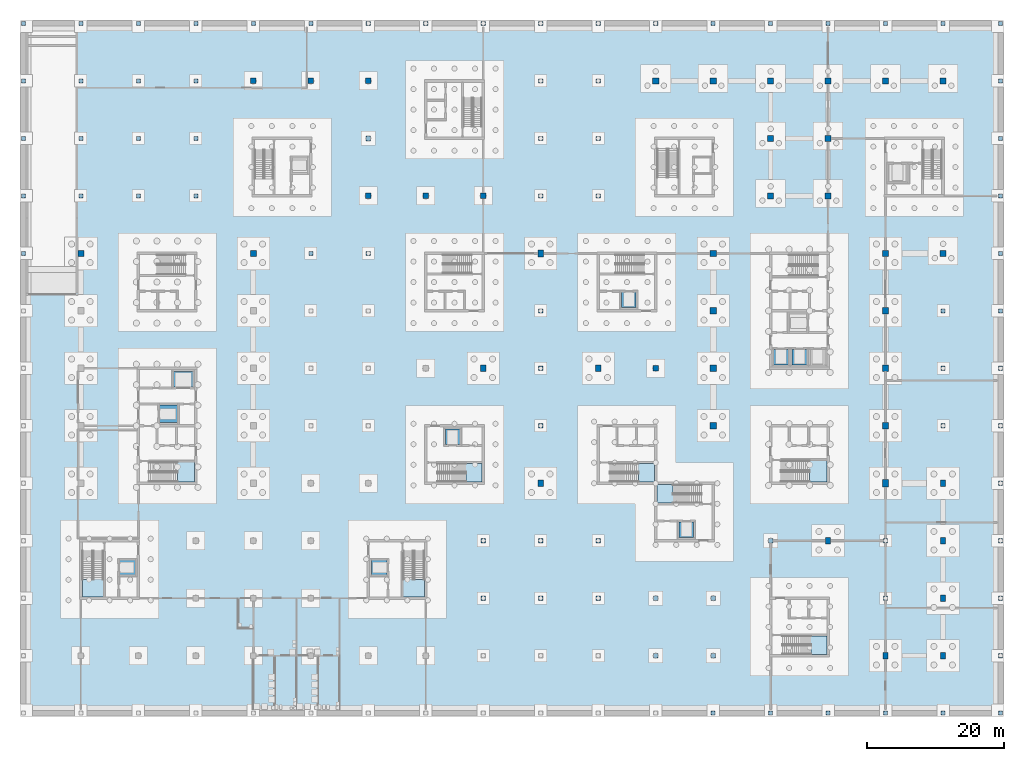
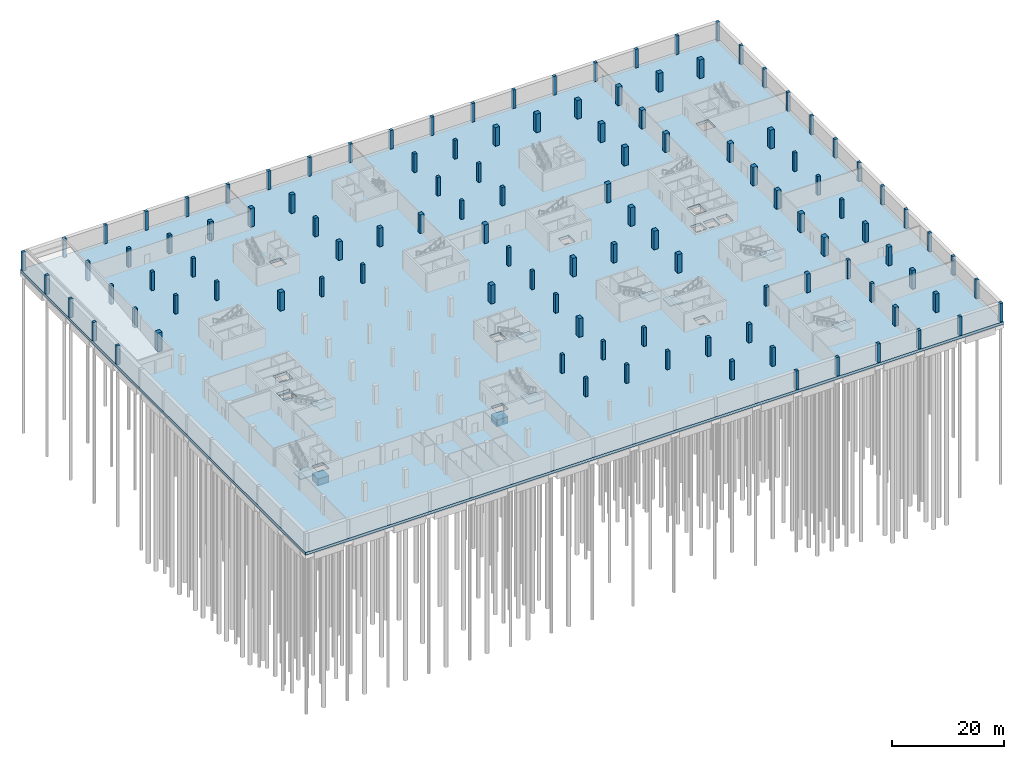
# One storey, part 6 of 23: 115 columns, 18 slabs, 8 elements without a shape of their own.
"""IFC4 building model written with IfcOpenShell, lengths in metres."""

from ifc_helpers import new_model, si_unit, direction, frame, origin, origin_2d, place, context, subcontext, project, spatial, polyline, rectangle, outline, extrude, material, layer, layer_set, material_profile, profile_set, type_object, element, aggregate, save


model = new_model("IFC4")

# Units and contexts
model_context = context("Model", 3, precision=1e-05, world=origin(), true_north=direction((0.0, 1.0)))
body_context = subcontext(model_context, "Body", "Model", "MODEL_VIEW")
ifc_project = project(units=[si_unit("LENGTHUNIT", "METRE"), si_unit("AREAUNIT", "SQUARE_METRE"), si_unit("VOLUMEUNIT", "CUBIC_METRE"), si_unit("PLANEANGLEUNIT", "RADIAN"), si_unit("MASSUNIT", "GRAM", prefix="KILO")], contexts=[model_context])

# Site, building, storey
site_placement = place(None, origin())
site = spatial("IfcSite", under=ifc_project, at=site_placement, CompositionType="ELEMENT")
building_placement = place(site_placement, origin())
building = spatial("IfcBuilding", under=site, at=building_placement, Name="Hlaing Beacon Police Headquarters", CompositionType="ELEMENT")
storey_placement = place(building_placement, frame((0.0, 0.0, -4.5)))
storey = spatial("IfcBuildingStorey", under=building, at=storey_placement, Name="B1", CompositionType="ELEMENT", Elevation=-4.5)

# Columns
ifc_material_1 = material(Name="Concrete C50/60", Category="concrete")
ifc_material_profile_1 = material_profile(ifc_material_1, rectangle(XDim=0.60009765625, YDim=0.60009765625, at=origin_2d()), Name="600x600")
ifc_profile_set_1 = profile_set([ifc_material_profile_1], Name="Concrete C50/60")
column_type_1 = type_object("IfcColumnType", Name="RC column 600x600 C50/60", PredefinedType="COLUMN", material=ifc_profile_set_1)
for number, where, z_axis, x_axis, name in (
    (1, (0.0, 67.199951171875, 0.0), (0.0, 0.0, 1.0), (1.0, 0.0, 0.0), "STR-COL-B1-A9"),
    (2, (0.0, 75.60009765625, 0.0), (0.0, 0.0, 1.0), (1.0, 0.0, 0.0), "STR-COL-B1-A10"),
    (3, (0.0, 84.0, 0.0), (0.0, 0.0, 1.0), (1.0, 0.0, 0.0), "STR-COL-B1-A11"),
    (4, (0.0, 92.39990234375, 0.0), (0.0, 0.0, 1.0), (1.0, 0.0, 0.0), "STR-COL-B1-A12"),
    (5, (0.0, 100.800048828125, 0.0), (0.0, 0.0, 1.0), (1.0, 0.0, 0.0), "STR-COL-B1-A13"),
    (6, (8.39990234375, 75.60009765625, 0.0), (0.0, 0.0, 1.0), (1.0, 0.0, 0.0), "STR-COL-B1-B10"),
    (7, (8.39990234375, 84.0, 0.0), (0.0, 0.0, 1.0), (1.0, 0.0, 0.0), "STR-COL-B1-B11"),
    (8, (8.39990234375, 92.39990234375, 0.0), (0.0, 0.0, 1.0), (1.0, 0.0, 0.0), "STR-COL-B1-B12"),
    (9, (8.39990234375, 100.800048828125, 0.0), (0.0, 0.0, 1.0), (1.0, 0.0, 0.0), "STR-COL-B1-B13"),
    (10, (16.800048828125, 75.60009765625, 0.0), (0.0, 0.0, 1.0), (1.0, 0.0, 0.0), "STR-COL-B1-C10"),
    (11, (16.800048828125, 84.0, 0.0), (0.0, 0.0, 1.0), (1.0, 0.0, 0.0), "STR-COL-B1-C11"),
    (12, (16.800048828125, 92.39990234375, 0.0), (0.0, 0.0, 1.0), (1.0, 0.0, 0.0), "STR-COL-B1-C12"),
    (13, (16.800048828125, 100.800048828125, 0.0), (0.0, 0.0, 1.0), (1.0, 0.0, 0.0), "STR-COL-B1-C13"),
    (14, (25.199951171875, 75.60009765625, 0.0), (0.0, 0.0, 1.0), (1.0, 0.0, 0.0), "STR-COL-B1-D10"),
    (15, (25.199951171875, 84.0, 0.0), (0.0, 0.0, 1.0), (1.0, 0.0, 0.0), "STR-COL-B1-D11"),
    (16, (25.199951171875, 92.39990234375, 0.0), (0.0, 0.0, 1.0), (1.0, 0.0, 0.0), "STR-COL-B1-D12"),
    (17, (25.199951171875, 100.800048828125, 0.0), (0.0, 0.0, 1.0), (1.0, 0.0, 0.0), "STR-COL-B1-D13"),
    (18, (33.60009765625, 100.800048828125, 0.0), (0.0, 0.0, 1.0), (1.0, 0.0, 0.0), "STR-COL-B1-E13"),
    (19, (42.0, 67.199951171875, 0.0), (0.0, 0.0, 1.0), (1.0, 0.0, 0.0), "STR-COL-B1-F9"),
    (20, (42.0, 100.800048828125, 0.0), (0.0, 0.0, 1.0), (1.0, 0.0, 0.0), "STR-COL-B1-F13"),
    (21, (50.39990234375, 67.199951171875, 0.0), (0.0, 0.0, 1.0), (1.0, 0.0, 0.0), "STR-COL-B1-G9"),
    (22, (50.39990234375, 100.800048828125, 0.0), (0.0, 0.0, 1.0), (1.0, 0.0, 0.0), "STR-COL-B1-G13"),
    (23, (58.800048828125, 100.800048828125, 0.0), (0.0, 0.0, 1.0), (1.0, 0.0, 0.0), "STR-COL-B1-H13"),
    (24, (67.199951171875, 16.800048828125, 0.0), (0.0, 0.0, 1.0), (1.0, 0.0, 0.0), "STR-COL-B1-J3"),
    (25, (67.199951171875, 25.199951171875, 0.0), (0.0, 0.0, 1.0), (1.0, 0.0, 0.0), "STR-COL-B1-J4"),
    (26, (67.199951171875, 100.800048828125, 0.0), (0.0, 0.0, 1.0), (1.0, 0.0, 0.0), "STR-COL-B1-J13"),
    (27, (75.60009765625, 16.800048828125, 0.0), (0.0, 0.0, 1.0), (1.0, 0.0, 0.0), "STR-COL-B1-K3"),
    (28, (75.60009765625, 25.199951171875, 0.0), (0.0, 0.0, 1.0), (1.0, 0.0, 0.0), "STR-COL-B1-K4"),
    (29, (75.60009765625, 42.0, 0.0), (0.0, 0.0, 1.0), (1.0, 0.0, 0.0), "STR-COL-B1-K6"),
    (30, (75.60009765625, 50.39990234375, 0.0), (0.0, 0.0, 1.0), (1.0, 0.0, 0.0), "STR-COL-B1-K7"),
    (31, (75.60009765625, 58.800048828125, 0.0), (0.0, 0.0, 1.0), (1.0, 0.0, 0.0), "STR-COL-B1-K8"),
    (32, (75.60009765625, 75.60009765625, 0.0), (0.0, 0.0, 1.0), (1.0, 0.0, 0.0), "STR-COL-B1-K10"),
    (33, (75.60009765625, 84.0, 0.0), (0.0, 0.0, 1.0), (1.0, 0.0, 0.0), "STR-COL-B1-K11"),
    (34, (75.60009765625, 92.39990234375, 0.0), (0.0, 0.0, 1.0), (1.0, 0.0, 0.0), "STR-COL-B1-K12"),
    (35, (75.60009765625, 100.800048828125, 0.0), (0.0, 0.0, 1.0), (1.0, 0.0, 0.0), "STR-COL-B1-K13"),
    (36, (84.0, 16.800048828125, 0.0), (0.0, 0.0, 1.0), (1.0, 0.0, 0.0), "STR-COL-B1-L3"),
    (37, (84.0, 25.199951171875, 0.0), (0.0, 0.0, 1.0), (1.0, 0.0, 0.0), "STR-COL-B1-L4"),
    (38, (84.0, 75.60009765625, 0.0), (0.0, 0.0, 1.0), (1.0, 0.0, 0.0), "STR-COL-B1-L10"),
    (39, (84.0, 84.0, 0.0), (0.0, 0.0, 1.0), (1.0, 0.0, 0.0), "STR-COL-B1-L11"),
    (40, (84.0, 92.39990234375, 0.0), (0.0, 0.0, 1.0), (1.0, 0.0, 0.0), "STR-COL-B1-L12"),
    (41, (84.0, 100.800048828125, 0.0), (0.0, 0.0, 1.0), (1.0, 0.0, 0.0), "STR-COL-B1-L13"),
    (42, (92.39990234375, 100.800048828125, 0.0), (0.0, 0.0, 1.0), (1.0, 0.0, 0.0), "STR-COL-B1-M13"),
    (43, (100.800048828125, 0.0, 0.0), (0.0, 0.0, 1.0), (1.0, 0.0, 0.0), "STR-COL-B1-N1"),
    (44, (100.800048828125, 100.800048828125, 0.0), (0.0, 0.0, 1.0), (1.0, 0.0, 0.0), "STR-COL-B1-N13"),
    (45, (109.199951171875, 0.0, 0.0), (0.0, 0.0, 1.0), (1.0, 0.0, 0.0), "STR-COL-B1-P1"),
    (46, (109.199951171875, 100.800048828125, 0.0), (0.0, 0.0, 1.0), (1.0, 0.0, 0.0), "STR-COL-B1-P13"),
    (47, (117.60009765625, 0.0, 0.0), (0.0, 0.0, 1.0), (1.0, 0.0, 0.0), "STR-COL-B1-Q1"),
    (48, (117.60009765625, 100.800048828125, 0.0), (0.0, 0.0, 1.0), (1.0, 0.0, 0.0), "STR-COL-B1-Q13"),
    (49, (126.0, 0.0, 0.0), (0.0, 0.0, 1.0), (1.0, 0.0, 0.0), "STR-COL-B1-R1"),
    (50, (126.0, 16.800048828125, 0.0), (0.0, 0.0, 1.0), (1.0, 0.0, 0.0), "STR-COL-B1-R3"),
    (51, (126.0, 25.199951171875, 0.0), (0.0, 0.0, 1.0), (1.0, 0.0, 0.0), "STR-COL-B1-R4"),
    (52, (126.0, 100.800048828125, 0.0), (0.0, 0.0, 1.0), (1.0, 0.0, 0.0), "STR-COL-B1-R13"),
    (53, (134.39990234375, 0.0, 0.0), (0.0, 0.0, 1.0), (1.0, 0.0, 0.0), "STR-COL-B1-S1"),
    (54, (134.39990234375, 42.0, 0.0), (0.0, 0.0, 1.0), (1.0, 0.0, 0.0), "STR-COL-B1-S6"),
    (55, (134.39990234375, 50.39990234375, 0.0), (0.0, 0.0, 1.0), (1.0, 0.0, 0.0), "STR-COL-B1-S7"),
    (56, (134.39990234375, 58.800048828125, 0.0), (0.0, 0.0, 1.0), (1.0, 0.0, 0.0), "STR-COL-B1-S8"),
    (57, (134.39990234375, 100.800048828125, 0.0), (0.0, 0.0, 1.0), (1.0, 0.0, 0.0), "STR-COL-B1-S13"),
    (58, (142.800048828125, 0.0, 0.0), (0.0, 0.0, 1.0), (1.0, 0.0, 0.0), "STR-COL-B1-T1"),
    (59, (142.800048828125, 8.39990234375, 0.0), (0.0, 0.0, 1.0), (1.0, 0.0, 0.0), "STR-COL-B1-T2"),
    (60, (142.800048828125, 16.800048828125, 0.0), (0.0, 0.0, 1.0), (1.0, 0.0, 0.0), "STR-COL-B1-T3"),
    (61, (142.800048828125, 25.199951171875, 0.0), (0.0, 0.0, 1.0), (1.0, 0.0, 0.0), "STR-COL-B1-T4"),
    (62, (142.800048828125, 33.60009765625, 0.0), (0.0, 0.0, 1.0), (1.0, 0.0, 0.0), "STR-COL-B1-T5"),
    (63, (142.800048828125, 42.0, 0.0), (0.0, 0.0, 1.0), (1.0, 0.0, 0.0), "STR-COL-B1-T6"),
    (64, (142.800048828125, 50.39990234375, 0.0), (0.0, 0.0, 1.0), (1.0, 0.0, 0.0), "STR-COL-B1-T7"),
    (65, (142.800048828125, 58.800048828125, 0.0), (0.0, 0.0, 1.0), (1.0, 0.0, 0.0), "STR-COL-B1-T8"),
    (66, (142.800048828125, 67.199951171875, 0.0), (0.0, 0.0, 1.0), (1.0, 0.0, 0.0), "STR-COL-B1-T9"),
    (67, (142.800048828125, 75.60009765625, 0.0), (0.0, 0.0, 1.0), (1.0, 0.0, 0.0), "STR-COL-B1-T10"),
    (68, (142.800048828125, 84.0, 0.0), (0.0, 0.0, 1.0), (1.0, 0.0, 0.0), "STR-COL-B1-T11"),
    (69, (142.800048828125, 92.39990234375, 0.0), (0.0, 0.0, 1.0), (1.0, 0.0, 0.0), "STR-COL-B1-T12"),
    (70, (142.800048828125, 100.800048828125, 0.0), (0.0, 0.0, 1.0), (1.0, 0.0, 0.0), "STR-COL-B1-T13"),
):
    element("IfcColumn", number, at=place(storey_placement, frame(where, z_axis=z_axis, x_axis=x_axis)), inside=storey, type_object=column_type_1, Name=name, PredefinedType="COLUMN", context=body_context, shape_type="SweptSolid", body=[
        extrude(rectangle(XDim=0.60009765625, YDim=0.60009765625, at=origin_2d()), origin(), (0.0, 0.0, 1.0), 4.050048828125),
    ])
ifc_material_2 = material(Name="Concrete C50/60", Category="concrete")
ifc_material_profile_2 = material_profile(ifc_material_2, rectangle(XDim=0.699951171875, YDim=0.699951171875, at=origin_2d()), Name="700x700")
ifc_profile_set_2 = profile_set([ifc_material_profile_2], Name="Concrete C50/60")
column_type_2 = type_object("IfcColumnType", Name="RC column 700x700 C50/60", PredefinedType="COLUMN", material=ifc_profile_set_2)
for number, where, z_axis, x_axis, name in (
    (71, (50.39990234375, 84.0, 0.0), (0.0, 0.0, 1.0), (1.0, 0.0, 0.0), "STR-COL-B1-G11"),
    (72, (92.39990234375, 8.39990234375, 0.0), (0.0, 0.0, 1.0), (1.0, 0.0, 0.0), "STR-COL-B1-M2"),
    (73, (92.39990234375, 16.800048828125, 0.0), (0.0, 0.0, 1.0), (1.0, 0.0, 0.0), "STR-COL-B1-M3"),
    (74, (100.800048828125, 8.39990234375, 0.0), (0.0, 0.0, 1.0), (1.0, 0.0, 0.0), "STR-COL-B1-N2"),
    (75, (100.800048828125, 16.800048828125, 0.0), (0.0, 0.0, 1.0), (1.0, 0.0, 0.0), "STR-COL-B1-N3"),
    (76, (109.199951171875, 25.199951171875, 0.0), (0.0, 0.0, 1.0), (1.0, 0.0, 0.0), "STR-COL-B1-P4"),
):
    element("IfcColumn", number, at=place(storey_placement, frame(where, z_axis=z_axis, x_axis=x_axis)), inside=storey, type_object=column_type_2, Name=name, PredefinedType="COLUMN", context=body_context, shape_type="SweptSolid", body=[
        extrude(rectangle(XDim=0.699951171875, YDim=0.699951171875, at=origin_2d()), origin(), (0.0, 0.0, 1.0), 4.050048828125),
    ])
ifc_material_3 = material(Name="Concrete C50/60", Category="concrete")
ifc_material_profile_3 = material_profile(ifc_material_3, rectangle(XDim=0.699951171875, YDim=0.89990234375, at=origin_2d()), Name="700x900")
ifc_profile_set_3 = profile_set([ifc_material_profile_3], Name="Concrete C50/60")
column_type_3 = type_object("IfcColumnType", Name="RC column 700x900 C50/60", PredefinedType="COLUMN", material=ifc_profile_set_3)
for number, where, z_axis, x_axis, name in (
    (77, (117.60009765625, 25.199951171875, 0.0), (0.0, 0.0, 1.0), (1.0, 0.0, 0.0), "STR-COL-B1-Q4"),
    (78, (126.0, 8.39990234375, 0.0), (0.0, 0.0, 1.0), (1.0, 0.0, 0.0), "STR-COL-B1-R2"),
    (79, (134.39990234375, 8.39990234375, 0.0), (0.0, 0.0, 1.0), (1.0, 0.0, 0.0), "STR-COL-B1-S2"),
    (80, (134.39990234375, 16.800048828125, 0.0), (0.0, 0.0, 1.0), (1.0, 0.0, 0.0), "STR-COL-B1-S3"),
    (81, (134.39990234375, 25.199951171875, 0.0), (0.0, 0.0, 1.0), (1.0, 0.0, 0.0), "STR-COL-B1-S4"),
    (82, (134.39990234375, 33.60009765625, 0.0), (0.0, 0.0, 1.0), (1.0, 0.0, 0.0), "STR-COL-B1-S5"),
):
    element("IfcColumn", number, at=place(storey_placement, frame(where, z_axis=z_axis, x_axis=x_axis)), inside=storey, type_object=column_type_3, Name=name, PredefinedType="COLUMN", context=body_context, shape_type="SweptSolid", body=[
        extrude(rectangle(XDim=0.699951171875, YDim=0.89990234375, at=origin_2d()), origin(), (0.0, 0.0, 1.0), 4.050048828125),
    ])
ifc_material_4 = material(Name="Concrete C50/60", Category="concrete")
ifc_material_profile_4 = material_profile(ifc_material_4, rectangle(XDim=0.800048828125, YDim=1.0, at=origin_2d()), Name="800x1000")
ifc_profile_set_4 = profile_set([ifc_material_profile_4], Name="Concrete C50/60")
column_type_4 = type_object("IfcColumnType", Name="RC column 800x1000 C50/60", PredefinedType="COLUMN", material=ifc_profile_set_4)
for number, where, z_axis, x_axis, name in (
    (83, (67.199951171875, 50.39990234375, 0.0), (0.0, 0.0, 1.0), (1.0, 0.0, 0.0), "STR-COL-B1-J7"),
    (84, (75.60009765625, 33.60009765625, 0.0), (0.0, 0.0, 1.0), (1.0, 0.0, 0.0), "STR-COL-B1-K5"),
    (85, (75.60009765625, 67.199951171875, 0.0), (0.0, 0.0, 1.0), (1.0, 0.0, 0.0), "STR-COL-B1-K9"),
    (86, (84.0, 50.39990234375, 0.0), (0.0, 0.0, 1.0), (1.0, 0.0, 0.0), "STR-COL-B1-L7"),
):
    element("IfcColumn", number, at=place(storey_placement, frame(where, z_axis=z_axis, x_axis=x_axis)), inside=storey, type_object=column_type_4, Name=name, PredefinedType="COLUMN", context=body_context, shape_type="SweptSolid", body=[
        extrude(rectangle(XDim=0.800048828125, YDim=1.0, at=origin_2d()), origin(), (0.0, 0.0, 1.0), 4.050048828125),
    ])
ifc_material_5 = material(Name="Concrete C50/60", Category="concrete")
ifc_material_profile_5 = material_profile(ifc_material_5, rectangle(XDim=0.800048828125, YDim=0.800048828125, at=origin_2d()), Name="800x800")
ifc_profile_set_5 = profile_set([ifc_material_profile_5], Name="Concrete C50/60")
column_type_5 = type_object("IfcColumnType", Name="RC column 800x800 C50/60", PredefinedType="COLUMN", material=ifc_profile_set_5)
for number, where, z_axis, x_axis, name in (
    (87, (33.60009765625, 92.39990234375, 0.0), (0.0, 0.0, 1.0), (1.0, 0.0, 0.0), "STR-COL-B1-E12"),
    (88, (42.0, 92.39990234375, 0.0), (0.0, 0.0, 1.0), (1.0, 0.0, 0.0), "STR-COL-B1-F12"),
    (89, (50.39990234375, 75.60009765625, 0.0), (0.0, 0.0, 1.0), (1.0, 0.0, 0.0), "STR-COL-B1-G10"),
    (90, (50.39990234375, 92.39990234375, 0.0), (0.0, 0.0, 1.0), (1.0, 0.0, 0.0), "STR-COL-B1-G12"),
    (91, (58.800048828125, 75.60009765625, 0.0), (0.0, 0.0, 1.0), (1.0, 0.0, 0.0), "STR-COL-B1-H10"),
    (92, (67.199951171875, 75.60009765625, 0.0), (0.0, 0.0, 1.0), (1.0, 0.0, 0.0), "STR-COL-B1-J10"),
    (93, (92.39990234375, 50.39990234375, 0.0), (0.0, 0.0, 1.0), (1.0, 0.0, 0.0), "STR-COL-B1-M7"),
):
    element("IfcColumn", number, at=place(storey_placement, frame(where, z_axis=z_axis, x_axis=x_axis)), inside=storey, type_object=column_type_5, Name=name, PredefinedType="COLUMN", context=body_context, shape_type="SweptSolid", body=[
        extrude(rectangle(XDim=0.800048828125, YDim=0.800048828125, at=origin_2d()), origin(), (0.0, 0.0, 1.0), 4.050048828125),
    ])
ifc_material_6 = material(Name="Concrete C60/75", Category="concrete")
ifc_material_profile_6 = material_profile(ifc_material_6, rectangle(XDim=0.89990234375, YDim=1.10009765625, at=origin_2d()), Name="900x1100")
ifc_profile_set_6 = profile_set([ifc_material_profile_6], Name="Concrete C60/75")
column_type_6 = type_object("IfcColumnType", Name="RC column 900x1100 C60/75", PredefinedType="COLUMN", material=ifc_profile_set_6)
column_placement = place(storey_placement, frame((126.0, 33.60009765625, 0.0), z_axis=(0.0, 0.0, 1.0), x_axis=(1.0, 0.0, 0.0)))
element("IfcColumn", 94, at=column_placement, inside=storey, type_object=column_type_6, Name="STR-COL-B1-R5", PredefinedType="COLUMN", context=body_context, shape_type="SweptSolid", body=[
    extrude(rectangle(XDim=0.89990234375, YDim=1.10009765625, at=origin_2d()), origin(), (0.0, 0.0, 1.0), 4.050048828125),
])
ifc_material_7 = material(Name="Concrete C50/60", Category="concrete")
ifc_material_profile_7 = material_profile(ifc_material_7, rectangle(XDim=0.89990234375, YDim=0.89990234375, at=origin_2d()), Name="900x900")
ifc_profile_set_7 = profile_set([ifc_material_profile_7], Name="Concrete C50/60")
column_type_7 = type_object("IfcColumnType", Name="RC column 900x900 C50/60", PredefinedType="COLUMN", material=ifc_profile_set_7)
for number, where, z_axis, x_axis, name in (
    (95, (8.39990234375, 67.199951171875, 0.0), (0.0, 0.0, 1.0), (1.0, 0.0, 0.0), "STR-COL-B1-B9"),
    (96, (33.60009765625, 67.199951171875, 0.0), (0.0, 0.0, 1.0), (1.0, 0.0, 0.0), "STR-COL-B1-E9"),
    (97, (92.39990234375, 92.39990234375, 0.0), (0.0, 0.0, 1.0), (1.0, 0.0, 0.0), "STR-COL-B1-M12"),
    (98, (100.800048828125, 92.39990234375, 0.0), (0.0, 0.0, 1.0), (1.0, 0.0, 0.0), "STR-COL-B1-N12"),
    (99, (109.199951171875, 75.60009765625, 0.0), (0.0, 0.0, 1.0), (1.0, 0.0, 0.0), "STR-COL-B1-P10"),
    (100, (109.199951171875, 84.0, 0.0), (0.0, 0.0, 1.0), (1.0, 0.0, 0.0), "STR-COL-B1-P11"),
    (101, (109.199951171875, 92.39990234375, 0.0), (0.0, 0.0, 1.0), (1.0, 0.0, 0.0), "STR-COL-B1-P12"),
    (102, (117.60009765625, 75.60009765625, 0.0), (0.0, 0.0, 1.0), (1.0, 0.0, 0.0), "STR-COL-B1-Q10"),
    (103, (117.60009765625, 84.0, 0.0), (0.0, 0.0, 1.0), (1.0, 0.0, 0.0), "STR-COL-B1-Q11"),
    (104, (117.60009765625, 92.39990234375, 0.0), (0.0, 0.0, 1.0), (1.0, 0.0, 0.0), "STR-COL-B1-Q12"),
    (105, (126.0, 92.39990234375, 0.0), (0.0, 0.0, 1.0), (1.0, 0.0, 0.0), "STR-COL-B1-R12"),
    (106, (134.39990234375, 67.199951171875, 0.0), (0.0, 0.0, 1.0), (1.0, 0.0, 0.0), "STR-COL-B1-S9"),
    (107, (134.39990234375, 92.39990234375, 0.0), (0.0, 0.0, 1.0), (1.0, 0.0, 0.0), "STR-COL-B1-S12"),
):
    element("IfcColumn", number, at=place(storey_placement, frame(where, z_axis=z_axis, x_axis=x_axis)), inside=storey, type_object=column_type_7, Name=name, PredefinedType="COLUMN", context=body_context, shape_type="SweptSolid", body=[
        extrude(rectangle(XDim=0.89990234375, YDim=0.89990234375, at=origin_2d()), origin(), (0.0, 0.0, 1.0), 4.050048828125),
    ])
ifc_material_8 = material(Name="Concrete C60/75", Category="concrete")
ifc_material_profile_8 = material_profile(ifc_material_8, rectangle(XDim=0.89990234375, YDim=0.89990234375, at=origin_2d()), Name="900x900")
ifc_profile_set_8 = profile_set([ifc_material_profile_8], Name="Concrete C60/75")
column_type_8 = type_object("IfcColumnType", Name="RC column 900x900 C60/75", PredefinedType="COLUMN", material=ifc_profile_set_8)
for number, where, z_axis, x_axis, name in (
    (108, (100.800048828125, 42.0, 0.0), (0.0, 0.0, 1.0), (1.0, 0.0, 0.0), "STR-COL-B1-N6"),
    (109, (100.800048828125, 50.39990234375, 0.0), (0.0, 0.0, 1.0), (1.0, 0.0, 0.0), "STR-COL-B1-N7"),
    (110, (100.800048828125, 58.800048828125, 0.0), (0.0, 0.0, 1.0), (1.0, 0.0, 0.0), "STR-COL-B1-N8"),
    (111, (100.800048828125, 67.199951171875, 0.0), (0.0, 0.0, 1.0), (1.0, 0.0, 0.0), "STR-COL-B1-N9"),
    (112, (126.0, 42.0, 0.0), (0.0, 0.0, 1.0), (1.0, 0.0, 0.0), "STR-COL-B1-R6"),
    (113, (126.0, 50.39990234375, 0.0), (0.0, 0.0, 1.0), (1.0, 0.0, 0.0), "STR-COL-B1-R7"),
    (114, (126.0, 58.800048828125, 0.0), (0.0, 0.0, 1.0), (1.0, 0.0, 0.0), "STR-COL-B1-R8"),
    (115, (126.0, 67.199951171875, 0.0), (0.0, 0.0, 1.0), (1.0, 0.0, 0.0), "STR-COL-B1-R9"),
):
    element("IfcColumn", number, at=place(storey_placement, frame(where, z_axis=z_axis, x_axis=x_axis)), inside=storey, type_object=column_type_8, Name=name, PredefinedType="COLUMN", context=body_context, shape_type="SweptSolid", body=[
        extrude(rectangle(XDim=0.89990234375, YDim=0.89990234375, at=origin_2d()), origin(), (0.0, 0.0, 1.0), 4.050048828125),
    ])

# Slabs
ifc_material_9 = material(Name="Concrete C50/60", Category="concrete")
ifc_layer_1 = layer(ifc_material_9, 0.60009765625)
ifc_layer_set_1 = layer_set([ifc_layer_1], Name="Concrete C50/60")
slab_type_1 = type_object("IfcSlabType", Name="Base slab 600", PredefinedType="BASESLAB", material=ifc_layer_set_1)
slab_1_placement = place(storey_placement, frame((0.0, 0.0, -0.60009765625)))
element("IfcSlab", 116, at=slab_1_placement, inside=storey, type_object=slab_type_1, Name="STR-SLAB-B1-01", PredefinedType="BASESLAB", context=body_context, shape_type="SweptSolid", body=[
    extrude(outline(polyline([(-0.39990234375, -0.39990234375), (143.199951171875, -0.39990234375), (143.199951171875, 101.199951171875), (-0.39990234375, 101.199951171875), (-0.39990234375, -0.39990234375)]), holes=[polyline([(14.050048828125, 20.199951171875), (16.35009765625, 20.199951171875), (16.35009765625, 22.35009765625), (14.050048828125, 22.35009765625), (14.050048828125, 20.199951171875)]), polyline([(19.89990234375, 42.449951171875), (22.5, 42.449951171875), (22.5, 45.050048828125), (19.89990234375, 45.050048828125), (19.89990234375, 42.449951171875)]), polyline([(21.949951171875, 47.64990234375), (24.75, 47.64990234375), (24.75, 49.949951171875), (21.949951171875, 49.949951171875), (21.949951171875, 47.64990234375)]), polyline([(39.25, 79.0), (41.550048828125, 79.0), (41.550048828125, 81.14990234375), (39.25, 81.14990234375), (39.25, 79.0)]), polyline([(50.85009765625, 20.199951171875), (53.14990234375, 20.199951171875), (53.14990234375, 22.35009765625), (50.85009765625, 22.35009765625), (50.85009765625, 20.199951171875)]), polyline([(61.64990234375, 39.25), (63.800048828125, 39.25), (63.800048828125, 41.550048828125), (61.64990234375, 41.550048828125), (61.64990234375, 39.25)]), polyline([(87.39990234375, 59.25), (89.550048828125, 59.25), (89.550048828125, 61.550048828125), (87.39990234375, 61.550048828125), (87.39990234375, 59.25)]), polyline([(95.800048828125, 25.64990234375), (97.949951171875, 25.64990234375), (97.949951171875, 27.949951171875), (95.800048828125, 27.949951171875), (95.800048828125, 25.64990234375)]), polyline([(109.64990234375, 50.85009765625), (111.800048828125, 50.85009765625), (111.800048828125, 53.14990234375), (109.64990234375, 53.14990234375), (109.64990234375, 50.85009765625)]), polyline([(111.89990234375, 55.75), (114.5, 55.75), (114.5, 58.35009765625), (111.89990234375, 58.35009765625), (111.89990234375, 55.75)]), polyline([(112.300048828125, 50.85009765625), (114.5, 50.85009765625), (114.5, 53.14990234375), (112.300048828125, 53.14990234375), (112.300048828125, 50.85009765625)]), polyline([(115.0, 50.85009765625), (117.14990234375, 50.85009765625), (117.14990234375, 53.14990234375), (115.0, 53.14990234375), (115.0, 50.85009765625)]), polyline([(126.449951171875, 77.64990234375), (129.0, 77.64990234375), (129.0, 80.25), (126.449951171875, 80.25), (126.449951171875, 77.64990234375)])]), origin(), (0.0, 0.0, 1.0), 0.60009765625),
])
ifc_material_10 = material(Name="Concrete C40/50", Category="concrete")
ifc_layer_2 = layer(ifc_material_10, 1.5)
ifc_layer_set_2 = layer_set([ifc_layer_2], Name="Concrete C40/50")
slab_type_2 = type_object("IfcSlabType", Name="Lift pit slab 1500", PredefinedType="BASESLAB", material=ifc_layer_set_2)
slab_2_placement = place(storey_placement, frame((0.0, 0.0, -3.10009765625)))
element("IfcSlab", 117, at=slab_2_placement, inside=storey, type_object=slab_type_2, Name="Lift pit EL1", PredefinedType="BASESLAB", context=body_context, shape_type="SweptSolid", body=[
    extrude(outline(polyline([(21.949951171875, 47.64990234375), (24.75, 47.64990234375), (24.75, 49.949951171875), (21.949951171875, 49.949951171875), (21.949951171875, 47.64990234375)])), origin(), (0.0, 0.0, 1.0), 1.5),
])
slab_3_placement = place(storey_placement, frame((0.0, 0.0, -3.10009765625)))
element("IfcSlab", 118, at=slab_3_placement, inside=storey, type_object=slab_type_2, Name="Lift pit FL2", PredefinedType="BASESLAB", context=body_context, shape_type="SweptSolid", body=[
    extrude(outline(polyline([(19.89990234375, 42.449951171875), (22.5, 42.449951171875), (22.5, 45.050048828125), (19.89990234375, 45.050048828125), (19.89990234375, 42.449951171875)])), origin(), (0.0, 0.0, 1.0), 1.5),
])
slab_4_placement = place(storey_placement, frame((0.0, 0.0, -3.10009765625)))
element("IfcSlab", 119, at=slab_4_placement, inside=storey, type_object=slab_type_2, Name="Lift pit PL1", PredefinedType="BASESLAB", context=body_context, shape_type="SweptSolid", body=[
    extrude(outline(polyline([(61.64990234375, 39.25), (63.800048828125, 39.25), (63.800048828125, 41.550048828125), (61.64990234375, 41.550048828125), (61.64990234375, 39.25)])), origin(), (0.0, 0.0, 1.0), 1.5),
])
slab_5_placement = place(storey_placement, frame((0.0, 0.0, -3.10009765625)))
element("IfcSlab", 120, at=slab_5_placement, inside=storey, type_object=slab_type_2, Name="Lift pit PL2", PredefinedType="BASESLAB", context=body_context, shape_type="SweptSolid", body=[
    extrude(outline(polyline([(87.39990234375, 59.25), (89.550048828125, 59.25), (89.550048828125, 61.550048828125), (87.39990234375, 61.550048828125), (87.39990234375, 59.25)])), origin(), (0.0, 0.0, 1.0), 1.5),
])
slab_6_placement = place(storey_placement, frame((0.0, 0.0, -3.10009765625)))
element("IfcSlab", 121, at=slab_6_placement, inside=storey, type_object=slab_type_2, Name="Lift pit PL4", PredefinedType="BASESLAB", context=body_context, shape_type="SweptSolid", body=[
    extrude(outline(polyline([(95.800048828125, 25.64990234375), (97.949951171875, 25.64990234375), (97.949951171875, 27.949951171875), (95.800048828125, 27.949951171875), (95.800048828125, 25.64990234375)])), origin(), (0.0, 0.0, 1.0), 1.5),
])
slab_7_placement = place(storey_placement, frame((0.0, 0.0, -3.10009765625)))
element("IfcSlab", 122, at=slab_7_placement, inside=storey, type_object=slab_type_2, Name="Lift pit PL5", PredefinedType="BASESLAB", context=body_context, shape_type="SweptSolid", body=[
    extrude(outline(polyline([(14.050048828125, 20.199951171875), (16.35009765625, 20.199951171875), (16.35009765625, 22.35009765625), (14.050048828125, 22.35009765625), (14.050048828125, 20.199951171875)])), origin(), (0.0, 0.0, 1.0), 1.5),
])
slab_8_placement = place(storey_placement, frame((0.0, 0.0, -3.10009765625)))
element("IfcSlab", 123, at=slab_8_placement, inside=storey, type_object=slab_type_2, Name="Lift pit PL6", PredefinedType="BASESLAB", context=body_context, shape_type="SweptSolid", body=[
    extrude(outline(polyline([(50.85009765625, 20.199951171875), (53.14990234375, 20.199951171875), (53.14990234375, 22.35009765625), (50.85009765625, 22.35009765625), (50.85009765625, 20.199951171875)])), origin(), (0.0, 0.0, 1.0), 1.5),
])
slab_9_placement = place(storey_placement, frame((0.0, 0.0, -3.10009765625)))
element("IfcSlab", 124, at=slab_9_placement, inside=storey, type_object=slab_type_2, Name="Lift pit PL7", PredefinedType="BASESLAB", context=body_context, shape_type="SweptSolid", body=[
    extrude(outline(polyline([(109.64990234375, 50.85009765625), (111.800048828125, 50.85009765625), (111.800048828125, 53.14990234375), (109.64990234375, 53.14990234375), (109.64990234375, 50.85009765625)])), origin(), (0.0, 0.0, 1.0), 1.5),
])
slab_10_placement = place(storey_placement, frame((0.0, 0.0, -3.10009765625)))
element("IfcSlab", 125, at=slab_10_placement, inside=storey, type_object=slab_type_2, Name="Lift pit PL8", PredefinedType="BASESLAB", context=body_context, shape_type="SweptSolid", body=[
    extrude(outline(polyline([(112.300048828125, 50.85009765625), (114.5, 50.85009765625), (114.5, 53.14990234375), (112.300048828125, 53.14990234375), (112.300048828125, 50.85009765625)])), origin(), (0.0, 0.0, 1.0), 1.5),
])

# Stair, slab
ifc_material_11 = material(Name="Concrete C40/50", Category="concrete")
stair_type_1 = type_object("IfcStairType", Name="Half-turn stair 1300 wide, 4500 rise", PredefinedType="HALF_TURN_STAIR", material=ifc_material_11)
stair_1_placement = place(storey_placement, origin())
stair_1 = element("IfcStair", 126, at=stair_1_placement, inside=storey, type_object=stair_type_1, Name="Stair ST-A", PredefinedType="HALF_TURN_STAIR")
ifc_material_12 = material(Name="Concrete C40/50", Category="concrete")
ifc_layer_3 = layer(ifc_material_12, 0.219970703125)
ifc_layer_set_3 = layer_set([ifc_layer_3], Name="Concrete C40/50")
slab_type_3 = type_object("IfcSlabType", Name="Stair landing 220", PredefinedType="LANDING", material=ifc_layer_set_3)
slab_11_placement = place(storey_placement, frame((0.0, 0.0, 2.030029296875)))
slab_11 = element("IfcSlab", 127, at=slab_11_placement, type_object=slab_type_3, Name="ST-A landing 1", PredefinedType="LANDING", context=body_context, shape_type="SweptSolid", body=[
    extrude(outline(polyline([(64.68994140625, 33.800048828125), (67.0, 33.800048828125), (67.0, 36.5), (64.300048828125, 36.5), (64.300048828125, 35.199951171875), (64.68994140625, 35.199951171875), (64.68994140625, 33.800048828125)])), origin(), (0.0, 0.0, 1.0), 0.219970703125),
])
aggregate(stair_1, [slab_11])

stair_2_placement = place(storey_placement, origin())
stair_2 = element("IfcStair", 128, at=stair_2_placement, inside=storey, type_object=stair_type_1, Name="Stair ST-C", PredefinedType="HALF_TURN_STAIR")
slab_12_placement = place(storey_placement, frame((0.0, 0.0, 2.030029296875)))
slab_12 = element("IfcSlab", 129, at=slab_12_placement, type_object=slab_type_3, Name="ST-C landing 1", PredefinedType="LANDING", context=body_context, shape_type="SweptSolid", body=[
    extrude(outline(polyline([(89.889892578125, 33.800048828125), (92.199951171875, 33.800048828125), (92.199951171875, 36.5), (89.5, 36.5), (89.5, 35.199951171875), (89.889892578125, 35.199951171875), (89.889892578125, 33.800048828125)])), origin(), (0.0, 0.0, 1.0), 0.219970703125),
])
aggregate(stair_2, [slab_12])

stair_3_placement = place(storey_placement, origin())
stair_3 = element("IfcStair", 130, at=stair_3_placement, inside=storey, type_object=stair_type_1, Name="Stair ST-G", PredefinedType="HALF_TURN_STAIR")
slab_13_placement = place(storey_placement, frame((0.0, 0.0, 2.030029296875)))
slab_13 = element("IfcSlab", 131, at=slab_13_placement, type_object=slab_type_3, Name="ST-G landing 1", PredefinedType="LANDING", context=body_context, shape_type="SweptSolid", body=[
    extrude(outline(polyline([(94.909912109375, 33.39990234375), (92.60009765625, 33.39990234375), (92.60009765625, 30.699951171875), (95.300048828125, 30.699951171875), (95.300048828125, 32.0), (94.909912109375, 32.0), (94.909912109375, 33.39990234375)])), origin(), (0.0, 0.0, 1.0), 0.219970703125),
])
aggregate(stair_3, [slab_13])

stair_4_placement = place(storey_placement, origin())
stair_4 = element("IfcStair", 132, at=stair_4_placement, inside=storey, type_object=stair_type_1, Name="Stair ST-H", PredefinedType="HALF_TURN_STAIR")
slab_14_placement = place(storey_placement, frame((0.0, 0.0, 2.030029296875)))
slab_14 = element("IfcSlab", 133, at=slab_14_placement, type_object=slab_type_3, Name="ST-H landing 1", PredefinedType="LANDING", context=body_context, shape_type="SweptSolid", body=[
    extrude(outline(polyline([(115.090087890625, 8.60009765625), (117.39990234375, 8.60009765625), (117.39990234375, 11.300048828125), (114.699951171875, 11.300048828125), (114.699951171875, 10.0), (115.090087890625, 10.0), (115.090087890625, 8.60009765625)])), origin(), (0.0, 0.0, 1.0), 0.219970703125),
])
aggregate(stair_4, [slab_14])

ifc_material_13 = material(Name="Concrete C40/50", Category="concrete")
stair_type_2 = type_object("IfcStairType", Name="Half-turn stair 1500 wide, 4500 rise", PredefinedType="HALF_TURN_STAIR", material=ifc_material_13)
stair_5_placement = place(storey_placement, origin())
stair_5 = element("IfcStair", 134, at=stair_5_placement, inside=storey, type_object=stair_type_2, Name="Stair ST-J", PredefinedType="HALF_TURN_STAIR")
slab_15_placement = place(storey_placement, frame((0.0, 0.0, 2.030029296875)))
slab_15 = element("IfcSlab", 135, at=slab_15_placement, type_object=slab_type_3, Name="ST-J landing 1", PredefinedType="LANDING", context=body_context, shape_type="SweptSolid", body=[
    extrude(outline(polyline([(8.60009765625, 19.510009765625), (8.60009765625, 17.0), (11.699951171875, 17.0), (11.699951171875, 19.89990234375), (10.199951171875, 19.89990234375), (10.199951171875, 19.510009765625), (8.60009765625, 19.510009765625)])), origin(), (0.0, 0.0, 1.0), 0.219970703125),
])
aggregate(stair_5, [slab_15])

stair_6_placement = place(storey_placement, origin())
stair_6 = element("IfcStair", 136, at=stair_6_placement, inside=storey, type_object=stair_type_2, Name="Stair ST-K", PredefinedType="HALF_TURN_STAIR")
slab_16_placement = place(storey_placement, frame((0.0, 0.0, 2.030029296875)))
slab_16 = element("IfcSlab", 137, at=slab_16_placement, type_object=slab_type_3, Name="ST-K landing 1", PredefinedType="LANDING", context=body_context, shape_type="SweptSolid", body=[
    extrude(outline(polyline([(58.60009765625, 19.510009765625), (58.60009765625, 17.0), (55.5, 17.0), (55.5, 19.89990234375), (57.0, 19.89990234375), (57.0, 19.510009765625), (58.60009765625, 19.510009765625)])), origin(), (0.0, 0.0, 1.0), 0.219970703125),
])
aggregate(stair_6, [slab_16])

stair_7_placement = place(storey_placement, origin())
stair_7 = element("IfcStair", 138, at=stair_7_placement, inside=storey, type_object=stair_type_2, Name="Stair ST-L", PredefinedType="HALF_TURN_STAIR")
slab_17_placement = place(storey_placement, frame((0.0, 0.0, 2.030029296875)))
slab_17 = element("IfcSlab", 139, at=slab_17_placement, type_object=slab_type_3, Name="ST-L landing 1", PredefinedType="LANDING", context=body_context, shape_type="SweptSolid", body=[
    extrude(outline(polyline([(114.889892578125, 33.800048828125), (117.39990234375, 33.800048828125), (117.39990234375, 36.89990234375), (114.5, 36.89990234375), (114.5, 35.39990234375), (114.889892578125, 35.39990234375), (114.889892578125, 33.800048828125)])), origin(), (0.0, 0.0, 1.0), 0.219970703125),
])
aggregate(stair_7, [slab_17])

ifc_material_14 = material(Name="Concrete C40/50", Category="concrete")
stair_type_3 = type_object("IfcStairType", Name="Half-turn stair 1400 wide, 4500 rise", PredefinedType="HALF_TURN_STAIR", material=ifc_material_14)
stair_8_placement = place(storey_placement, origin())
stair_8 = element("IfcStair", 140, at=stair_8_placement, inside=storey, type_object=stair_type_3, Name="Stair ST-N", PredefinedType="HALF_TURN_STAIR")
slab_18_placement = place(storey_placement, frame((0.0, 0.0, 2.030029296875)))
slab_18 = element("IfcSlab", 141, at=slab_18_placement, type_object=slab_type_3, Name="ST-N landing 1", PredefinedType="LANDING", context=body_context, shape_type="SweptSolid", body=[
    extrude(outline(polyline([(22.489990234375, 33.800048828125), (25.0, 33.800048828125), (25.0, 36.699951171875), (22.10009765625, 36.699951171875), (22.10009765625, 35.300048828125), (22.489990234375, 35.300048828125), (22.489990234375, 33.800048828125)])), origin(), (0.0, 0.0, 1.0), 0.219970703125),
])
aggregate(stair_8, [slab_18])

save(model, "model.ifc")
